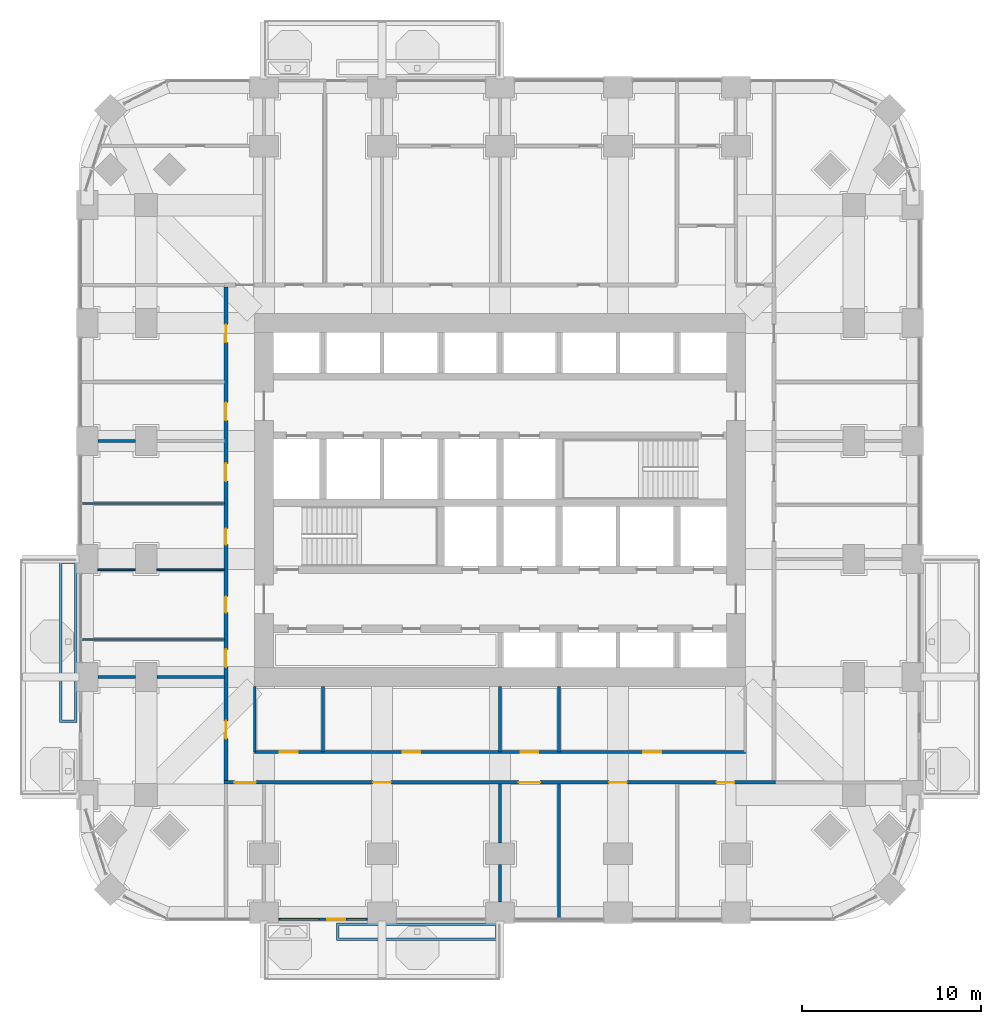
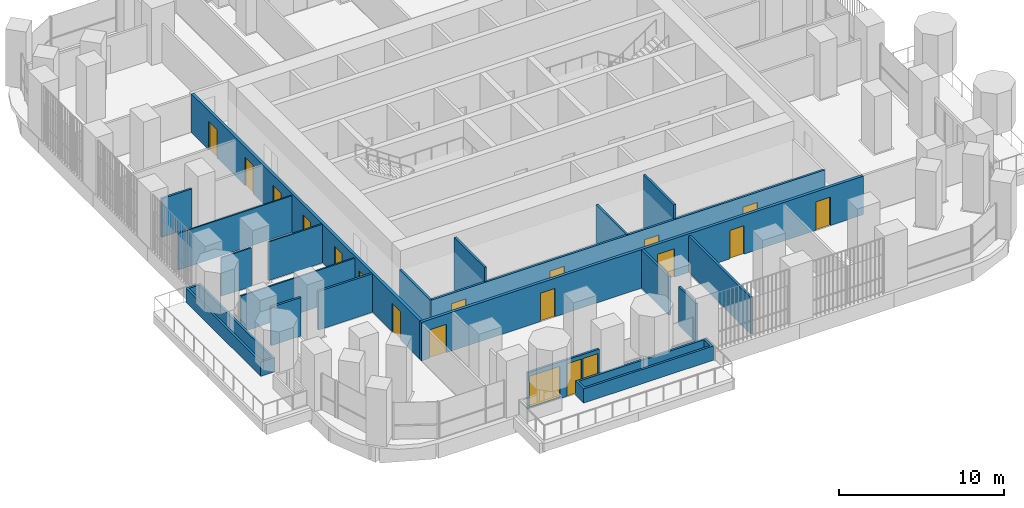
# One storey, part 13 of 21: 20 walls, 17 doors, 2 windows, 19 openings.
"""IFC4 building model written with IfcOpenShell, lengths in metres."""

from ifc_helpers import new_model, si_unit, direction, frame, frame_2d, origin, place, context, subcontext, project, spatial, polyline, rectangle, outline, extrude, material, layer, layer_set, type_object, element, fill, save


model = new_model("IFC4")

# Units and contexts
model_context = context("Model", 3, precision=1e-05, world=origin(), true_north=direction((0.0, 1.0)))
body_context = subcontext(model_context, "Body", "Model", "MODEL_VIEW")
ifc_project = project(units=[si_unit("LENGTHUNIT", "METRE"), si_unit("AREAUNIT", "SQUARE_METRE"), si_unit("VOLUMEUNIT", "CUBIC_METRE"), si_unit("PLANEANGLEUNIT", "RADIAN"), si_unit("MASSUNIT", "GRAM", prefix="KILO")], contexts=[model_context])

# Site, building, storey
site_placement = place(None, origin())
site = spatial("IfcSite", under=ifc_project, at=site_placement, CompositionType="ELEMENT")
building_placement = place(site_placement, origin())
building = spatial("IfcBuilding", under=site, at=building_placement, Name="Cobogo Forest Laboratory Tower", CompositionType="ELEMENT")
storey_placement = place(building_placement, frame((0.0, 0.0, 107.39990234375)))
storey = spatial("IfcBuildingStorey", under=building, at=storey_placement, Name="L24", CompositionType="ELEMENT", Elevation=107.39990234375)

# Wall, openings, door, windows
ifc_material_1 = material(Name="Aluminium framed glazed screen", Category="aluminium")
ifc_layer_1 = layer(ifc_material_1, 0.14990234375)
ifc_layer_set_1 = layer_set([ifc_layer_1], Name="GS1 glazed door screen 150")
wall_type_1 = type_object("IfcWallType", Name="GS1 glazed door screen 150", PredefinedType="SOLIDWALL", material=ifc_layer_set_1)
wall_1_placement = place(storey_placement, frame((14.0, -0.35009765625, 0.0), z_axis=(0.0, 0.0, 1.0), x_axis=(1.0, 0.0, 0.0)))
wall_1 = element("IfcWall", 1, at=wall_1_placement, inside=storey, type_object=wall_type_1, Name="Door screen BAL-S1 L24", PredefinedType="SOLIDWALL", context=body_context, shape_type="SweptSolid", body=[
    extrude(rectangle(XDim=5.0, YDim=0.14990234375, at=frame_2d((2.5, 0.0))), origin(), (0.0, 0.0, 1.0), 2.7001953125),
])
opening_1_placement = place(wall_1_placement, frame((2.75, 0.0, 0.0)))
opening_1 = element("IfcOpeningElement", 2, at=opening_1_placement, cuts=wall_1, Name="Opening L24-D01", PredefinedType="OPENING", context=body_context, shape_type="SweptSolid", body=[
    extrude(rectangle(XDim=1.0, YDim=2.39990234375, at=frame_2d((0.5, 1.199951171875))), frame((0.0, 0.0849609375, 0.0), z_axis=(0.0, -1.0, 0.0), x_axis=(1.0, 0.0, 0.0)), (0.0, 0.0, 1.0), 0.169921875),
])
opening_2_placement = place(wall_1_placement, frame((0.10009765625, 0.0, 0.10009765625)))
opening_2 = element("IfcOpeningElement", 3, at=opening_2_placement, cuts=wall_1, Name="Opening L24-W01", PredefinedType="OPENING", context=body_context, shape_type="SweptSolid", body=[
    extrude(rectangle(XDim=2.14990234375, YDim=2.300048828125, at=frame_2d((1.074951171875, 1.14990234375))), frame((0.0, 0.0849609375, 0.0), z_axis=(0.0, -1.0, 0.0), x_axis=(1.0, 0.0, 0.0)), (0.0, 0.0, 1.0), 0.169921875),
])
opening_3_placement = place(wall_1_placement, frame((3.85009765625, 0.0, 0.10009765625)))
opening_3 = element("IfcOpeningElement", 4, at=opening_3_placement, cuts=wall_1, Name="Opening L24-W02", PredefinedType="OPENING", context=body_context, shape_type="SweptSolid", body=[
    extrude(rectangle(XDim=1.050048828125, YDim=2.300048828125, at=frame_2d((0.52490234375, 1.14990234375))), frame((0.0, 0.0849609375, 0.0), z_axis=(0.0, -1.0, 0.0), x_axis=(1.0, 0.0, 0.0)), (0.0, 0.0, 1.0), 0.169921875),
])
ifc_material_2 = material(Name="Aluminium glazed door", Category="aluminium")
door_type_1 = type_object("IfcDoorType", Name="DB1 balcony door 1000 glazed", OperationType="SINGLE_SWING_LEFT", PredefinedType="DOOR", material=ifc_material_2)
door_1_placement = place(opening_1_placement, origin())
door_1 = element("IfcDoor", 5, at=door_1_placement, inside=storey, type_object=door_type_1, Name="Door L24-BAL-S1", OperationType="SINGLE_SWING_RIGHT", OverallHeight=2.39990234375, OverallWidth=1.0, PredefinedType="DOOR", context=body_context, shape_type="SweptSolid", body=[
    extrude(rectangle(XDim=1.0, YDim=2.39990234375, at=frame_2d((0.5, 1.199951171875))), frame((0.0, 0.02490234375, 0.0), z_axis=(0.0, -1.0, 0.0), x_axis=(1.0, 0.0, 0.0)), (0.0, 0.0, 1.0), 0.050048828125),
])
fill(opening_1, door_1)
ifc_material_3 = material(Name="Aluminium framed glazing", Category="aluminium")
window_type_1 = type_object("IfcWindowType", Name="WG13 fixed glazed light 2150x2300", PartitioningType="SINGLE_PANEL", PredefinedType="WINDOW", material=ifc_material_3)
window_1_placement = place(opening_2_placement, origin())
window_1 = element("IfcWindow", 6, at=window_1_placement, inside=storey, type_object=window_type_1, Name="Window L24-BAL-S1-1", OverallHeight=2.300048828125, OverallWidth=2.14990234375, PartitioningType="SINGLE_PANEL", PredefinedType="WINDOW", context=body_context, shape_type="SweptSolid", body=[
    extrude(rectangle(XDim=2.14990234375, YDim=2.300048828125, at=frame_2d((1.074951171875, 1.14990234375))), frame((0.0, 0.030029296875, 0.0), z_axis=(0.0, -1.0, 0.0), x_axis=(1.0, 0.0, 0.0)), (0.0, 0.0, 1.0), 0.06005859375),
])
fill(opening_2, window_1)
window_type_2 = type_object("IfcWindowType", Name="WG14 fixed glazed light 1050x2300", PartitioningType="SINGLE_PANEL", PredefinedType="WINDOW", material=ifc_material_3)
window_2_placement = place(opening_3_placement, origin())
window_2 = element("IfcWindow", 7, at=window_2_placement, inside=storey, type_object=window_type_2, Name="Window L24-BAL-S1-2", OverallHeight=2.300048828125, OverallWidth=1.050048828125, PartitioningType="SINGLE_PANEL", PredefinedType="WINDOW", context=body_context, shape_type="SweptSolid", body=[
    extrude(rectangle(XDim=1.050048828125, YDim=2.300048828125, at=frame_2d((0.52490234375, 1.14990234375))), frame((0.0, 0.030029296875, 0.0), z_axis=(0.0, -1.0, 0.0), x_axis=(1.0, 0.0, 0.0)), (0.0, 0.0, 1.0), 0.06005859375),
])
fill(opening_3, window_2)

# Wall, openings, doors
ifc_material_4 = material(Name="Gypsum board on steel studs", Category="steel")
ifc_layer_2 = layer(ifc_material_4, 0.14990234375)
ifc_layer_set_2 = layer_set([ifc_layer_2], Name="PT1 laboratory partition 150")
wall_type_2 = type_object("IfcWallType", Name="PT1 laboratory partition 150", PredefinedType="PARTITIONING", material=ifc_layer_set_2)
wall_2_placement = place(storey_placement, frame((12.675048828125, 9.0, 0.0), z_axis=(0.0, 0.0, 1.0), x_axis=(1.0, 0.0, 0.0)))
wall_2 = element("IfcWall", 8, at=wall_2_placement, inside=storey, type_object=wall_type_2, Name="Partition CSTRIP-S L24", PredefinedType="PARTITIONING", context=body_context, shape_type="SweptSolid", body=[
    extrude(rectangle(XDim=27.449951171875, YDim=0.14990234375, at=frame_2d((13.72509765625, 0.0))), origin(), (0.0, 0.0, 1.0), 2.85009765625),
])
opening_4_placement = place(wall_2_placement, frame((1.41259765625, 0.0, 0.0)))
opening_4 = element("IfcOpeningElement", 9, at=opening_4_placement, cuts=wall_2, Name="Opening L24-D07", PredefinedType="OPENING", context=body_context, shape_type="SweptSolid", body=[
    extrude(rectangle(XDim=1.0, YDim=2.10009765625, at=frame_2d((0.5, 1.050048828125))), frame((0.0, 0.0849609375, 0.0), z_axis=(0.0, -1.0, 0.0), x_axis=(1.0, 0.0, 0.0)), (0.0, 0.0, 1.0), 0.169921875),
])
opening_5_placement = place(wall_2_placement, frame((8.27490234375, 0.0, 0.0)))
opening_5 = element("IfcOpeningElement", 10, at=opening_5_placement, cuts=wall_2, Name="Opening L24-D08", PredefinedType="OPENING", context=body_context, shape_type="SweptSolid", body=[
    extrude(rectangle(XDim=1.0, YDim=2.10009765625, at=frame_2d((0.5, 1.050048828125))), frame((0.0, 0.0849609375, 0.0), z_axis=(0.0, -1.0, 0.0), x_axis=(1.0, 0.0, 0.0)), (0.0, 0.0, 1.0), 0.169921875),
])
opening_6_placement = place(wall_2_placement, frame((14.875, 0.0, 0.0)))
opening_6 = element("IfcOpeningElement", 11, at=opening_6_placement, cuts=wall_2, Name="Opening L24-D09", PredefinedType="OPENING", context=body_context, shape_type="SweptSolid", body=[
    extrude(rectangle(XDim=1.0, YDim=2.10009765625, at=frame_2d((0.5, 1.050048828125))), frame((0.0, 0.0849609375, 0.0), z_axis=(0.0, -1.0, 0.0), x_axis=(1.0, 0.0, 0.0)), (0.0, 0.0, 1.0), 0.169921875),
])
opening_7_placement = place(wall_2_placement, frame((21.737548828125, 0.0, 0.0)))
opening_7 = element("IfcOpeningElement", 12, at=opening_7_placement, cuts=wall_2, Name="Opening L24-D10", PredefinedType="OPENING", context=body_context, shape_type="SweptSolid", body=[
    extrude(rectangle(XDim=1.0, YDim=2.10009765625, at=frame_2d((0.5, 1.050048828125))), frame((0.0, 0.0849609375, 0.0), z_axis=(0.0, -1.0, 0.0), x_axis=(1.0, 0.0, 0.0)), (0.0, 0.0, 1.0), 0.169921875),
])
ifc_material_5 = material(Name="Timber fire door", Category="wood")
door_type_2 = type_object("IfcDoorType", Name="FD2 fire door 1000 EI2 30", OperationType="SINGLE_SWING_LEFT", PredefinedType="DOOR", material=ifc_material_5)
door_2_placement = place(opening_4_placement, origin())
door_2 = element("IfcDoor", 13, at=door_2_placement, inside=storey, type_object=door_type_2, Name="Door L24-CSS1", OperationType="SINGLE_SWING_LEFT", OverallHeight=2.10009765625, OverallWidth=1.0, PredefinedType="DOOR", context=body_context, shape_type="SweptSolid", body=[
    extrude(rectangle(XDim=1.0, YDim=2.10009765625, at=frame_2d((0.5, 1.050048828125))), frame((0.0, 0.02490234375, 0.0), z_axis=(0.0, -1.0, 0.0), x_axis=(1.0, 0.0, 0.0)), (0.0, 0.0, 1.0), 0.050048828125),
])
fill(opening_4, door_2)
door_3_placement = place(opening_5_placement, origin())
door_3 = element("IfcDoor", 14, at=door_3_placement, inside=storey, type_object=door_type_2, Name="Door L24-CSS2", OperationType="SINGLE_SWING_LEFT", OverallHeight=2.10009765625, OverallWidth=1.0, PredefinedType="DOOR", context=body_context, shape_type="SweptSolid", body=[
    extrude(rectangle(XDim=1.0, YDim=2.10009765625, at=frame_2d((0.5, 1.050048828125))), frame((0.0, 0.02490234375, 0.0), z_axis=(0.0, -1.0, 0.0), x_axis=(1.0, 0.0, 0.0)), (0.0, 0.0, 1.0), 0.050048828125),
])
fill(opening_5, door_3)
door_4_placement = place(opening_6_placement, origin())
door_4 = element("IfcDoor", 15, at=door_4_placement, inside=storey, type_object=door_type_2, Name="Door L24-CSS3", OperationType="SINGLE_SWING_RIGHT", OverallHeight=2.10009765625, OverallWidth=1.0, PredefinedType="DOOR", context=body_context, shape_type="SweptSolid", body=[
    extrude(rectangle(XDim=1.0, YDim=2.10009765625, at=frame_2d((0.5, 1.050048828125))), frame((0.0, 0.02490234375, 0.0), z_axis=(0.0, -1.0, 0.0), x_axis=(1.0, 0.0, 0.0)), (0.0, 0.0, 1.0), 0.050048828125),
])
fill(opening_6, door_4)
door_5_placement = place(opening_7_placement, origin())
door_5 = element("IfcDoor", 16, at=door_5_placement, inside=storey, type_object=door_type_2, Name="Door L24-CSS4", OperationType="SINGLE_SWING_RIGHT", OverallHeight=2.10009765625, OverallWidth=1.0, PredefinedType="DOOR", context=body_context, shape_type="SweptSolid", body=[
    extrude(rectangle(XDim=1.0, YDim=2.10009765625, at=frame_2d((0.5, 1.050048828125))), frame((0.0, 0.02490234375, 0.0), z_axis=(0.0, -1.0, 0.0), x_axis=(1.0, 0.0, 0.0)), (0.0, 0.0, 1.0), 0.050048828125),
])
fill(opening_7, door_5)

# Walls
wall_3_placement = place(storey_placement, frame((12.675048828125, 12.675048828125, 0.0), z_axis=(0.0, 0.0, 1.0), x_axis=(0.0, -1.0, 0.0)))
element("IfcWall", 17, at=wall_3_placement, inside=storey, type_object=wall_type_2, Name="Partition CSTRIP-SW L24", PredefinedType="PARTITIONING", context=body_context, shape_type="SweptSolid", body=[
    extrude(rectangle(XDim=3.675048828125, YDim=0.14990234375, at=frame_2d((1.83740234375, 0.0))), origin(), (0.0, 0.0, 1.0), 2.85009765625),
])
wall_4_placement = place(storey_placement, frame((16.5, 12.675048828125, 0.0), z_axis=(0.0, 0.0, 1.0), x_axis=(0.0, -1.0, 0.0)))
element("IfcWall", 18, at=wall_4_placement, inside=storey, type_object=wall_type_2, Name="Partition CSTRIP-S16.5 L24", PredefinedType="PARTITIONING", context=body_context, shape_type="SweptSolid", body=[
    extrude(rectangle(XDim=3.675048828125, YDim=0.14990234375, at=frame_2d((1.83740234375, 0.0))), origin(), (0.0, 0.0, 1.0), 3.900146484375),
])
wall_5_placement = place(storey_placement, frame((26.39990234375, 12.675048828125, 0.0), z_axis=(0.0, 0.0, 1.0), x_axis=(0.0, -1.0, 0.0)))
element("IfcWall", 19, at=wall_5_placement, inside=storey, type_object=wall_type_2, Name="Partition CSTRIP-S26.4 L24", PredefinedType="PARTITIONING", context=body_context, shape_type="SweptSolid", body=[
    extrude(rectangle(XDim=3.675048828125, YDim=0.14990234375, at=frame_2d((1.83740234375, 0.0))), origin(), (0.0, 0.0, 1.0), 2.85009765625),
])
wall_6_placement = place(storey_placement, frame((29.699951171875, 12.675048828125, 0.0), z_axis=(0.0, 0.0, 1.0), x_axis=(0.0, -1.0, 0.0)))
element("IfcWall", 20, at=wall_6_placement, inside=storey, type_object=wall_type_2, Name="Partition CSTRIP-S29.7 L24", PredefinedType="PARTITIONING", context=body_context, shape_type="SweptSolid", body=[
    extrude(rectangle(XDim=3.675048828125, YDim=0.14990234375, at=frame_2d((1.83740234375, 0.0))), origin(), (0.0, 0.0, 1.0), 3.900146484375),
])
wall_7_placement = place(storey_placement, frame((26.39990234375, 0.60009765625, 0.0), z_axis=(0.0, 0.0, 1.0), x_axis=(0.0, 1.0, 0.0)))
element("IfcWall", 21, at=wall_7_placement, inside=storey, type_object=wall_type_2, Name="Partition CUT-S26.4-1 L24", PredefinedType="PARTITIONING", context=body_context, shape_type="SweptSolid", body=[
    extrude(rectangle(XDim=2.099853515625, YDim=0.14990234375, at=frame_2d((1.0498046875, 0.0))), origin(), (0.0, 0.0, 1.0), 2.85009765625),
])
wall_8_placement = place(storey_placement, frame((26.39990234375, 3.89990234375, 0.0), z_axis=(0.0, 0.0, 1.0), x_axis=(0.0, 1.0, 0.0)))
element("IfcWall", 22, at=wall_8_placement, inside=storey, type_object=wall_type_2, Name="Partition CUT-S26.4-2 L24", PredefinedType="PARTITIONING", context=body_context, shape_type="SweptSolid", body=[
    extrude(rectangle(XDim=3.300048828125, YDim=0.14990234375, at=frame_2d((1.64990234375, 0.0))), origin(), (0.0, 0.0, 1.0), 2.85009765625),
])
wall_9_placement = place(storey_placement, frame((29.699951171875, -0.27001953125, 0.0), z_axis=(0.0, 0.0, 1.0), x_axis=(0.0, 1.0, 0.0)))
element("IfcWall", 23, at=wall_9_placement, inside=storey, type_object=wall_type_2, Name="Partition CUT-S29.7-1 L24", PredefinedType="PARTITIONING", context=body_context, shape_type="SweptSolid", body=[
    extrude(rectangle(XDim=7.469970703125, YDim=0.14990234375, at=frame_2d((3.73486328125, 0.0))), origin(), (0.0, 0.0, 1.0), 2.7001953125),
])
wall_10_placement = place(storey_placement, frame((3.89990234375, 13.199951171875, 0.0), z_axis=(0.0, 0.0, 1.0), x_axis=(1.0, 0.0, 0.0)))
element("IfcWall", 24, at=wall_10_placement, inside=storey, type_object=wall_type_2, Name="Partition CUT-W13.2-1 L24", PredefinedType="PARTITIONING", context=body_context, shape_type="SweptSolid", body=[
    extrude(rectangle(XDim=2.10009765625, YDim=0.14990234375, at=frame_2d((1.050048828125, 0.0))), origin(), (0.0, 0.0, 1.0), 2.85009765625),
])
wall_11_placement = place(storey_placement, frame((7.199951171875, 13.199951171875, 0.0), z_axis=(0.0, 0.0, 1.0), x_axis=(1.0, 0.0, 0.0)))
element("IfcWall", 25, at=wall_11_placement, inside=storey, type_object=wall_type_2, Name="Partition CUT-W13.2-2 L24", PredefinedType="PARTITIONING", context=body_context, shape_type="SweptSolid", body=[
    extrude(rectangle(XDim=3.775146484375, YDim=0.14990234375, at=frame_2d((1.8876953125, 0.0))), origin(), (0.0, 0.0, 1.0), 2.85009765625),
])
wall_12_placement = place(storey_placement, frame((3.89990234375, 26.39990234375, 0.0), z_axis=(0.0, 0.0, 1.0), x_axis=(1.0, 0.0, 0.0)))
element("IfcWall", 26, at=wall_12_placement, inside=storey, type_object=wall_type_2, Name="Partition CUT-W26.4-1 L24", PredefinedType="PARTITIONING", context=body_context, shape_type="SweptSolid", body=[
    extrude(rectangle(XDim=2.10009765625, YDim=0.14990234375, at=frame_2d((1.050048828125, 0.0))), origin(), (0.0, 0.0, 1.0), 2.85009765625),
])

# Wall, openings, doors
ifc_layer_3 = layer(ifc_material_4, 0.199951171875)
ifc_layer_set_3 = layer_set([ifc_layer_3], Name="PT2 fire-rated corridor partition 200")
wall_type_3 = type_object("IfcWallType", Name="PT2 fire-rated corridor partition 200", PredefinedType="PARTITIONING", material=ifc_layer_set_3)
wall_13_placement = place(storey_placement, frame((10.97509765625, 7.300048828125, 0.0), z_axis=(0.0, 0.0, 1.0), x_axis=(1.0, 0.0, 0.0)))
wall_13 = element("IfcWall", 27, at=wall_13_placement, inside=storey, type_object=wall_type_3, Name="Partition CORR-S L24", PredefinedType="PARTITIONING", context=body_context, shape_type="SweptSolid", body=[
    extrude(rectangle(XDim=30.849853515625, YDim=0.199951171875, at=frame_2d((15.4248046875, 0.0))), origin(), (0.0, 0.0, 1.0), 2.85009765625),
])
opening_8_placement = place(wall_13_placement, frame((0.5625, 0.0, 0.0)))
opening_8 = element("IfcOpeningElement", 28, at=opening_8_placement, cuts=wall_13, Name="Opening L24-D02", PredefinedType="OPENING", context=body_context, shape_type="SweptSolid", body=[
    extrude(rectangle(XDim=1.199951171875, YDim=2.10009765625, at=frame_2d((0.60009765625, 1.050048828125))), frame((0.0, 0.10986328125, 0.0), z_axis=(0.0, -1.0, 0.0), x_axis=(1.0, 0.0, 0.0)), (0.0, 0.0, 1.0), 0.219970703125),
])
opening_9_placement = place(wall_13_placement, frame((8.324951171875, 0.0, 0.0)))
opening_9 = element("IfcOpeningElement", 29, at=opening_9_placement, cuts=wall_13, Name="Opening L24-D03", PredefinedType="OPENING", context=body_context, shape_type="SweptSolid", body=[
    extrude(rectangle(XDim=1.0, YDim=2.10009765625, at=frame_2d((0.5, 1.050048828125))), frame((0.0, 0.10986328125, 0.0), z_axis=(0.0, -1.0, 0.0), x_axis=(1.0, 0.0, 0.0)), (0.0, 0.0, 1.0), 0.219970703125),
])
opening_10_placement = place(wall_13_placement, frame((16.47509765625, 0.0, 0.0)))
opening_10 = element("IfcOpeningElement", 30, at=opening_10_placement, cuts=wall_13, Name="Opening L24-D04", PredefinedType="OPENING", context=body_context, shape_type="SweptSolid", body=[
    extrude(rectangle(XDim=1.199951171875, YDim=2.10009765625, at=frame_2d((0.60009765625, 1.050048828125))), frame((0.0, 0.10986328125, 0.0), z_axis=(0.0, -1.0, 0.0), x_axis=(1.0, 0.0, 0.0)), (0.0, 0.0, 1.0), 0.219970703125),
])
opening_11_placement = place(wall_13_placement, frame((21.52490234375, 0.0, 0.0)))
opening_11 = element("IfcOpeningElement", 31, at=opening_11_placement, cuts=wall_13, Name="Opening L24-D05", PredefinedType="OPENING", context=body_context, shape_type="SweptSolid", body=[
    extrude(rectangle(XDim=1.0, YDim=2.10009765625, at=frame_2d((0.5, 1.050048828125))), frame((0.0, 0.10986328125, 0.0), z_axis=(0.0, -1.0, 0.0), x_axis=(1.0, 0.0, 0.0)), (0.0, 0.0, 1.0), 0.219970703125),
])
opening_12_placement = place(wall_13_placement, frame((27.53759765625, 0.0, 0.0)))
opening_12 = element("IfcOpeningElement", 32, at=opening_12_placement, cuts=wall_13, Name="Opening L24-D06", PredefinedType="OPENING", context=body_context, shape_type="SweptSolid", body=[
    extrude(rectangle(XDim=1.0, YDim=2.10009765625, at=frame_2d((0.5, 1.050048828125))), frame((0.0, 0.10986328125, 0.0), z_axis=(0.0, -1.0, 0.0), x_axis=(1.0, 0.0, 0.0)), (0.0, 0.0, 1.0), 0.219970703125),
])
ifc_material_6 = material(Name="Timber door", Category="wood")
door_type_3 = type_object("IfcDoorType", Name="D2 laboratory door 1200 unequal pair", OperationType="DOUBLE_DOOR_SINGLE_SWING", PredefinedType="DOOR", material=ifc_material_6)
door_6_placement = place(opening_8_placement, origin())
door_6 = element("IfcDoor", 33, at=door_6_placement, inside=storey, type_object=door_type_3, Name="Door L24-S1", OperationType="DOUBLE_DOOR_SINGLE_SWING", OverallHeight=2.10009765625, OverallWidth=1.199951171875, PredefinedType="DOOR", context=body_context, shape_type="SweptSolid", body=[
    extrude(rectangle(XDim=1.199951171875, YDim=2.10009765625, at=frame_2d((0.60009765625, 1.050048828125))), frame((0.0, 0.02490234375, 0.0), z_axis=(0.0, -1.0, 0.0), x_axis=(1.0, 0.0, 0.0)), (0.0, 0.0, 1.0), 0.050048828125),
])
fill(opening_8, door_6)
door_7_placement = place(opening_10_placement, origin())
door_7 = element("IfcDoor", 34, at=door_7_placement, inside=storey, type_object=door_type_3, Name="Door L24-S3", OperationType="DOUBLE_DOOR_SINGLE_SWING", OverallHeight=2.10009765625, OverallWidth=1.199951171875, PredefinedType="DOOR", context=body_context, shape_type="SweptSolid", body=[
    extrude(rectangle(XDim=1.199951171875, YDim=2.10009765625, at=frame_2d((0.60009765625, 1.050048828125))), frame((0.0, 0.02490234375, 0.0), z_axis=(0.0, -1.0, 0.0), x_axis=(1.0, 0.0, 0.0)), (0.0, 0.0, 1.0), 0.050048828125),
])
fill(opening_10, door_7)
ifc_material_7 = material(Name="Steel fire door", Category="steel")
door_type_4 = type_object("IfcDoorType", Name="FD1 fire door 1000 EI2 60", OperationType="SINGLE_SWING_LEFT", PredefinedType="DOOR", material=ifc_material_7)
door_8_placement = place(opening_11_placement, origin())
door_8 = element("IfcDoor", 35, at=door_8_placement, inside=storey, type_object=door_type_4, Name="Door L24-S4", OperationType="SINGLE_SWING_RIGHT", OverallHeight=2.10009765625, OverallWidth=1.0, PredefinedType="DOOR", context=body_context, shape_type="SweptSolid", body=[
    extrude(rectangle(XDim=1.0, YDim=2.10009765625, at=frame_2d((0.5, 1.050048828125))), frame((0.0, 0.02490234375, 0.0), z_axis=(0.0, -1.0, 0.0), x_axis=(1.0, 0.0, 0.0)), (0.0, 0.0, 1.0), 0.050048828125),
])
fill(opening_11, door_8)
door_9_placement = place(opening_9_placement, origin())
door_9 = element("IfcDoor", 36, at=door_9_placement, inside=storey, type_object=door_type_2, Name="Door L24-S2", OperationType="SINGLE_SWING_LEFT", OverallHeight=2.10009765625, OverallWidth=1.0, PredefinedType="DOOR", context=body_context, shape_type="SweptSolid", body=[
    extrude(rectangle(XDim=1.0, YDim=2.10009765625, at=frame_2d((0.5, 1.050048828125))), frame((0.0, 0.02490234375, 0.0), z_axis=(0.0, -1.0, 0.0), x_axis=(1.0, 0.0, 0.0)), (0.0, 0.0, 1.0), 0.050048828125),
])
fill(opening_9, door_9)
door_10_placement = place(opening_12_placement, origin())
door_10 = element("IfcDoor", 37, at=door_10_placement, inside=storey, type_object=door_type_2, Name="Door L24-S5", OperationType="SINGLE_SWING_RIGHT", OverallHeight=2.10009765625, OverallWidth=1.0, PredefinedType="DOOR", context=body_context, shape_type="SweptSolid", body=[
    extrude(rectangle(XDim=1.0, YDim=2.10009765625, at=frame_2d((0.5, 1.050048828125))), frame((0.0, 0.02490234375, 0.0), z_axis=(0.0, -1.0, 0.0), x_axis=(1.0, 0.0, 0.0)), (0.0, 0.0, 1.0), 0.050048828125),
])
fill(opening_12, door_10)

wall_14_placement = place(storey_placement, frame((11.074951171875, 7.39990234375, 0.0), z_axis=(0.0, 0.0, 1.0), x_axis=(0.0, 1.0, 0.0)))
wall_14 = element("IfcWall", 38, at=wall_14_placement, inside=storey, type_object=wall_type_3, Name="Partition CORR-W L24", PredefinedType="PARTITIONING", context=body_context, shape_type="SweptSolid", body=[
    extrude(rectangle(XDim=27.625, YDim=0.199951171875, at=frame_2d((13.8125, 0.0))), origin(), (0.0, 0.0, 1.0), 2.85009765625),
])
opening_13_placement = place(wall_14_placement, frame((2.35009765625, 0.0, 0.0)))
opening_13 = element("IfcOpeningElement", 39, at=opening_13_placement, cuts=wall_14, Name="Opening L24-D11", PredefinedType="OPENING", context=body_context, shape_type="SweptSolid", body=[
    extrude(rectangle(XDim=1.0, YDim=2.10009765625, at=frame_2d((0.5, 1.050048828125))), frame((0.0, 0.10986328125, 0.0), z_axis=(0.0, -1.0, 0.0), x_axis=(1.0, 0.0, 0.0)), (0.0, 0.0, 1.0), 0.219970703125),
])
opening_14_placement = place(wall_14_placement, frame((6.35009765625, 0.0, 0.0)))
opening_14 = element("IfcOpeningElement", 40, at=opening_14_placement, cuts=wall_14, Name="Opening L24-D15", PredefinedType="OPENING", context=body_context, shape_type="SweptSolid", body=[
    extrude(rectangle(XDim=1.0, YDim=2.10009765625, at=frame_2d((0.5, 1.050048828125))), frame((0.0, 0.10986328125, 0.0), z_axis=(0.0, -1.0, 0.0), x_axis=(1.0, 0.0, 0.0)), (0.0, 0.0, 1.0), 0.219970703125),
])
opening_15_placement = place(wall_14_placement, frame((9.39990234375, 0.0, 0.0)))
opening_15 = element("IfcOpeningElement", 41, at=opening_15_placement, cuts=wall_14, Name="Opening L24-D20", PredefinedType="OPENING", context=body_context, shape_type="SweptSolid", body=[
    extrude(rectangle(XDim=0.89990234375, YDim=2.10009765625, at=frame_2d((0.449951171875, 1.050048828125))), frame((0.0, 0.10986328125, 0.0), z_axis=(0.0, -1.0, 0.0), x_axis=(1.0, 0.0, 0.0)), (0.0, 0.0, 1.0), 0.219970703125),
])
opening_16_placement = place(wall_14_placement, frame((13.199951171875, 0.0, 0.0)))
opening_16 = element("IfcOpeningElement", 42, at=opening_16_placement, cuts=wall_14, Name="Opening L24-D26", PredefinedType="OPENING", context=body_context, shape_type="SweptSolid", body=[
    extrude(rectangle(XDim=0.89990234375, YDim=2.10009765625, at=frame_2d((0.449951171875, 1.050048828125))), frame((0.0, 0.10986328125, 0.0), z_axis=(0.0, -1.0, 0.0), x_axis=(1.0, 0.0, 0.0)), (0.0, 0.0, 1.0), 0.219970703125),
])
opening_17_placement = place(wall_14_placement, frame((16.75, 0.0, 0.0)))
opening_17 = element("IfcOpeningElement", 43, at=opening_17_placement, cuts=wall_14, Name="Opening L24-D29", PredefinedType="OPENING", context=body_context, shape_type="SweptSolid", body=[
    extrude(rectangle(XDim=1.0, YDim=2.10009765625, at=frame_2d((0.5, 1.050048828125))), frame((0.0, 0.10986328125, 0.0), z_axis=(0.0, -1.0, 0.0), x_axis=(1.0, 0.0, 0.0)), (0.0, 0.0, 1.0), 0.219970703125),
])
opening_18_placement = place(wall_14_placement, frame((20.14990234375, 0.0, 0.0)))
opening_18 = element("IfcOpeningElement", 44, at=opening_18_placement, cuts=wall_14, Name="Opening L24-D31", PredefinedType="OPENING", context=body_context, shape_type="SweptSolid", body=[
    extrude(rectangle(XDim=1.0, YDim=2.10009765625, at=frame_2d((0.5, 1.050048828125))), frame((0.0, 0.10986328125, 0.0), z_axis=(0.0, -1.0, 0.0), x_axis=(1.0, 0.0, 0.0)), (0.0, 0.0, 1.0), 0.219970703125),
])
opening_19_placement = place(wall_14_placement, frame((24.512451171875, 0.0, 0.0)))
opening_19 = element("IfcOpeningElement", 45, at=opening_19_placement, cuts=wall_14, Name="Opening L24-D35", PredefinedType="OPENING", context=body_context, shape_type="SweptSolid", body=[
    extrude(rectangle(XDim=1.0, YDim=2.10009765625, at=frame_2d((0.5, 1.050048828125))), frame((0.0, 0.10986328125, 0.0), z_axis=(0.0, -1.0, 0.0), x_axis=(1.0, 0.0, 0.0)), (0.0, 0.0, 1.0), 0.219970703125),
])
door_11_placement = place(opening_13_placement, origin())
door_11 = element("IfcDoor", 46, at=door_11_placement, inside=storey, type_object=door_type_2, Name="Door L24-W1", OperationType="SINGLE_SWING_LEFT", OverallHeight=2.10009765625, OverallWidth=1.0, PredefinedType="DOOR", context=body_context, shape_type="SweptSolid", body=[
    extrude(rectangle(XDim=1.0, YDim=2.10009765625, at=frame_2d((0.5, 1.050048828125))), frame((0.0, 0.02490234375, 0.0), z_axis=(0.0, -1.0, 0.0), x_axis=(1.0, 0.0, 0.0)), (0.0, 0.0, 1.0), 0.050048828125),
])
fill(opening_13, door_11)
door_12_placement = place(opening_17_placement, origin())
door_12 = element("IfcDoor", 47, at=door_12_placement, inside=storey, type_object=door_type_2, Name="Door L24-SHW", OperationType="SINGLE_SWING_RIGHT", OverallHeight=2.10009765625, OverallWidth=1.0, PredefinedType="DOOR", context=body_context, shape_type="SweptSolid", body=[
    extrude(rectangle(XDim=1.0, YDim=2.10009765625, at=frame_2d((0.5, 1.050048828125))), frame((0.0, 0.02490234375, 0.0), z_axis=(0.0, -1.0, 0.0), x_axis=(1.0, 0.0, 0.0)), (0.0, 0.0, 1.0), 0.050048828125),
])
fill(opening_17, door_12)
door_13_placement = place(opening_18_placement, origin())
door_13 = element("IfcDoor", 48, at=door_13_placement, inside=storey, type_object=door_type_2, Name="Door L24-W3", OperationType="SINGLE_SWING_RIGHT", OverallHeight=2.10009765625, OverallWidth=1.0, PredefinedType="DOOR", context=body_context, shape_type="SweptSolid", body=[
    extrude(rectangle(XDim=1.0, YDim=2.10009765625, at=frame_2d((0.5, 1.050048828125))), frame((0.0, 0.02490234375, 0.0), z_axis=(0.0, -1.0, 0.0), x_axis=(1.0, 0.0, 0.0)), (0.0, 0.0, 1.0), 0.050048828125),
])
fill(opening_18, door_13)
door_14_placement = place(opening_19_placement, origin())
door_14 = element("IfcDoor", 49, at=door_14_placement, inside=storey, type_object=door_type_2, Name="Door L24-W4", OperationType="SINGLE_SWING_RIGHT", OverallHeight=2.10009765625, OverallWidth=1.0, PredefinedType="DOOR", context=body_context, shape_type="SweptSolid", body=[
    extrude(rectangle(XDim=1.0, YDim=2.10009765625, at=frame_2d((0.5, 1.050048828125))), frame((0.0, 0.02490234375, 0.0), z_axis=(0.0, -1.0, 0.0), x_axis=(1.0, 0.0, 0.0)), (0.0, 0.0, 1.0), 0.050048828125),
])
fill(opening_19, door_14)
door_type_5 = type_object("IfcDoorType", Name="FD3 toilet fire door 900 EI2 30", OperationType="SINGLE_SWING_LEFT", PredefinedType="DOOR", material=ifc_material_5)
door_15_placement = place(opening_15_placement, origin())
door_15 = element("IfcDoor", 50, at=door_15_placement, inside=storey, type_object=door_type_5, Name="Door L24-WCF", OperationType="SINGLE_SWING_LEFT", OverallHeight=2.10009765625, OverallWidth=0.89990234375, PredefinedType="DOOR", context=body_context, shape_type="SweptSolid", body=[
    extrude(rectangle(XDim=0.89990234375, YDim=2.10009765625, at=frame_2d((0.449951171875, 1.050048828125))), frame((0.0, 0.02490234375, 0.0), z_axis=(0.0, -1.0, 0.0), x_axis=(1.0, 0.0, 0.0)), (0.0, 0.0, 1.0), 0.050048828125),
])
fill(opening_15, door_15)
door_16_placement = place(opening_16_placement, origin())
door_16 = element("IfcDoor", 51, at=door_16_placement, inside=storey, type_object=door_type_5, Name="Door L24-WCM", OperationType="SINGLE_SWING_LEFT", OverallHeight=2.10009765625, OverallWidth=0.89990234375, PredefinedType="DOOR", context=body_context, shape_type="SweptSolid", body=[
    extrude(rectangle(XDim=0.89990234375, YDim=2.10009765625, at=frame_2d((0.449951171875, 1.050048828125))), frame((0.0, 0.02490234375, 0.0), z_axis=(0.0, -1.0, 0.0), x_axis=(1.0, 0.0, 0.0)), (0.0, 0.0, 1.0), 0.050048828125),
])
fill(opening_16, door_16)
door_type_6 = type_object("IfcDoorType", Name="FDA1 accessible toilet fire door 1000 EI2 30", OperationType="SINGLE_SWING_RIGHT", PredefinedType="DOOR", material=ifc_material_5)
door_17_placement = place(opening_14_placement, origin())
door_17 = element("IfcDoor", 52, at=door_17_placement, inside=storey, type_object=door_type_6, Name="Door L24-WCA", OperationType="SINGLE_SWING_LEFT", OverallHeight=2.10009765625, OverallWidth=1.0, PredefinedType="DOOR", context=body_context, shape_type="SweptSolid", body=[
    extrude(rectangle(XDim=1.0, YDim=2.10009765625, at=frame_2d((0.5, 1.050048828125))), frame((0.0, 0.02490234375, 0.0), z_axis=(0.0, -1.0, 0.0), x_axis=(1.0, 0.0, 0.0)), (0.0, 0.0, 1.0), 0.050048828125),
])
fill(opening_14, door_17)

# Walls
ifc_layer_4 = layer(ifc_material_4, 0.10009765625)
ifc_layer_set_4 = layer_set([ifc_layer_4], Name="PT3 toilet partition 100")
wall_type_4 = type_object("IfcWallType", Name="PT3 toilet partition 100", PredefinedType="PARTITIONING", material=ifc_layer_set_4)
wall_15_placement = place(storey_placement, frame((3.030029296875, 15.300048828125, 0.0), z_axis=(0.0, 0.0, 1.0), x_axis=(1.0, 0.0, 0.0)))
element("IfcWall", 53, at=wall_15_placement, inside=storey, type_object=wall_type_4, Name="Partition SVC-W1-1 L24", PredefinedType="PARTITIONING", context=body_context, shape_type="SweptSolid", body=[
    extrude(rectangle(XDim=7.945068359375, YDim=0.10009765625, at=frame_2d((3.97265625, 0.0))), origin(), (0.0, 0.0, 1.0), 2.7001953125),
])
wall_16_placement = place(storey_placement, frame((3.89990234375, 19.199951171875, 0.0), z_axis=(0.0, 0.0, 1.0), x_axis=(1.0, 0.0, 0.0)))
element("IfcWall", 54, at=wall_16_placement, inside=storey, type_object=wall_type_4, Name="Partition SVC-W2-1 L24", PredefinedType="PARTITIONING", context=body_context, shape_type="SweptSolid", body=[
    extrude(rectangle(XDim=2.10009765625, YDim=0.10009765625, at=frame_2d((1.050048828125, 0.0))), origin(), (0.0, 0.0, 1.0), 2.85009765625),
])
wall_17_placement = place(storey_placement, frame((7.199951171875, 19.199951171875, 0.0), z_axis=(0.0, 0.0, 1.0), x_axis=(1.0, 0.0, 0.0)))
element("IfcWall", 55, at=wall_17_placement, inside=storey, type_object=wall_type_4, Name="Partition SVC-W2-2 L24", PredefinedType="PARTITIONING", context=body_context, shape_type="SweptSolid", body=[
    extrude(rectangle(XDim=3.775146484375, YDim=0.10009765625, at=frame_2d((1.8876953125, 0.0))), origin(), (0.0, 0.0, 1.0), 2.85009765625),
])
wall_18_placement = place(storey_placement, frame((3.030029296875, 22.89990234375, 0.0), z_axis=(0.0, 0.0, 1.0), x_axis=(1.0, 0.0, 0.0)))
element("IfcWall", 56, at=wall_18_placement, inside=storey, type_object=wall_type_4, Name="Partition SVC-W3-1 L24", PredefinedType="PARTITIONING", context=body_context, shape_type="SweptSolid", body=[
    extrude(rectangle(XDim=7.945068359375, YDim=0.10009765625, at=frame_2d((3.97265625, 0.0))), origin(), (0.0, 0.0, 1.0), 2.7001953125),
])
ifc_material_8 = material(Name="Concrete HA-40 (C40/50)", Category="concrete")
ifc_layer_5 = layer(ifc_material_8, 0.14990234375)
ifc_layer_set_5 = layer_set([ifc_layer_5], Name="Planter box 1000x1050")
wall_type_5 = type_object("IfcWallType", Name="Planter box 1000x1050", PredefinedType="USERDEFINED", material=ifc_layer_set_5)
wall_19_placement = place(storey_placement, origin())
element("IfcWall", 57, at=wall_19_placement, inside=storey, type_object=wall_type_5, Name="Planter BAL-S1-2 L24", ObjectType="PLANTER", PredefinedType="USERDEFINED", context=body_context, shape_type="SweptSolid", body=[
    extrude(outline(polyline([(17.25, -1.550048828125), (26.300048828125, -1.550048828125), (26.300048828125, -0.550048828125), (17.25, -0.550048828125), (17.25, -1.550048828125)]), holes=[polyline([(17.39990234375, -1.39990234375), (26.14990234375, -1.39990234375), (26.14990234375, -0.699951171875), (17.39990234375, -0.699951171875), (17.39990234375, -1.39990234375)])]), origin(), (0.0, 0.0, 1.0), 1.050048828125),
])
wall_20_placement = place(storey_placement, origin())
element("IfcWall", 58, at=wall_20_placement, inside=storey, type_object=wall_type_5, Name="Planter BAL-W1-2 L24", ObjectType="PLANTER", PredefinedType="USERDEFINED", context=body_context, shape_type="SweptSolid", body=[
    extrude(outline(polyline([(1.75, 10.64990234375), (2.75, 10.64990234375), (2.75, 19.699951171875), (1.75, 19.699951171875), (1.75, 10.64990234375)]), holes=[polyline([(1.89990234375, 10.800048828125), (2.60009765625, 10.800048828125), (2.60009765625, 19.550048828125), (1.89990234375, 19.550048828125), (1.89990234375, 10.800048828125)])]), origin(), (0.0, 0.0, 1.0), 1.050048828125),
])

save(model, "model.ifc")
